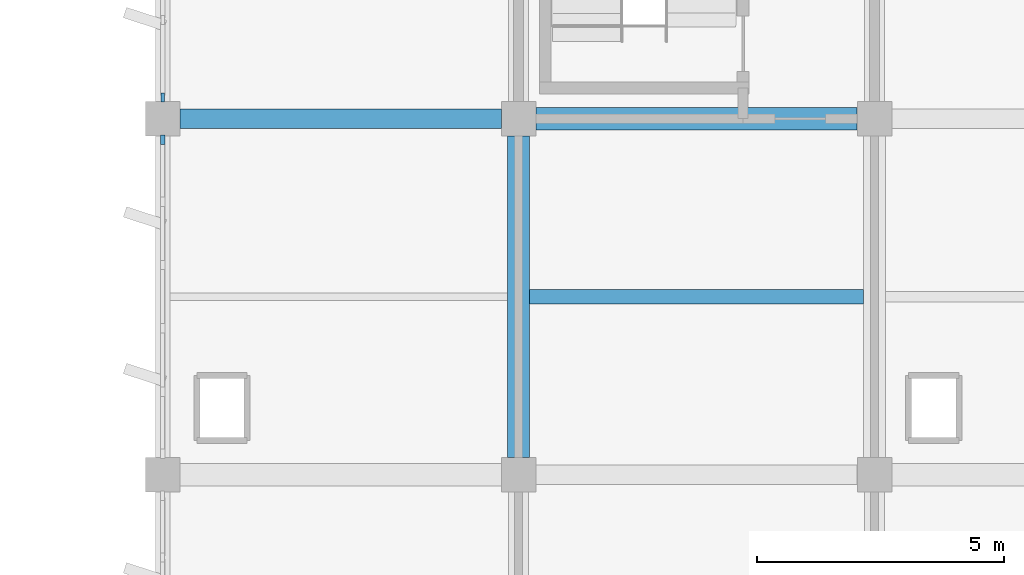
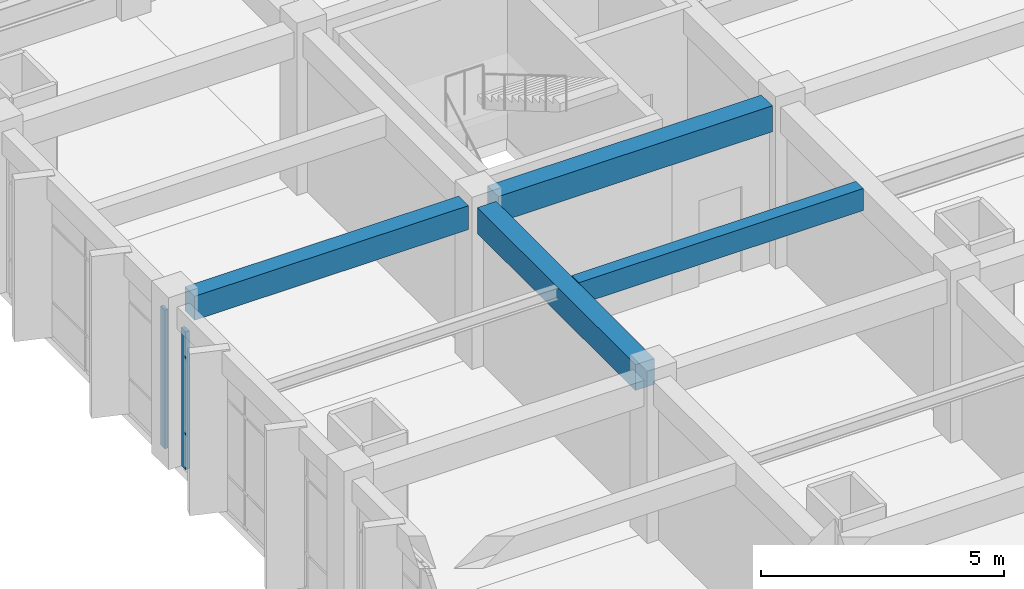
# One storey, part 18 of 70: 4 beams, 2 members, 2 elements without a shape of their own.
"""IFC4 building model written with IfcOpenShell, lengths in metres."""

from ifc_helpers import new_model, si_unit, direction, frame, origin, origin_2d, place, context, subcontext, project, spatial, rectangle, extrude, material, layer, layer_set, material_profile, profile_set, type_object, element, aggregate, save


model = new_model("IFC4")

# Units and contexts
model_context = context("Model", 3, precision=1e-05, world=origin(), true_north=direction((0.0, 1.0)))
body_context = subcontext(model_context, "Body", "Model", "MODEL_VIEW")
ifc_project = project(units=[si_unit("LENGTHUNIT", "METRE"), si_unit("AREAUNIT", "SQUARE_METRE"), si_unit("VOLUMEUNIT", "CUBIC_METRE"), si_unit("PLANEANGLEUNIT", "RADIAN"), si_unit("MASSUNIT", "GRAM", prefix="KILO")], contexts=[model_context])

# Site, building, storey
site_placement = place(None, origin())
site = spatial("IfcSite", under=ifc_project, at=site_placement, CompositionType="ELEMENT")
building_placement = place(site_placement, origin())
building = spatial("IfcBuilding", under=site, at=building_placement, Name="Kavelor Marine Aquarium", CompositionType="ELEMENT")
storey_placement = place(building_placement, frame((0.0, 0.0, 9.179931640625)))
storey = spatial("IfcBuildingStorey", under=building, at=storey_placement, Name="L02", CompositionType="ELEMENT", Elevation=9.179931640625)

# Beams
ifc_material_1 = material(Name="Concrete C40/50", Category="concrete")
ifc_material_profile_1 = material_profile(ifc_material_1, rectangle(XDim=0.449951171875, YDim=0.64990234375, at=origin_2d()), Name="RC-BM 450x650")
ifc_profile_set_1 = profile_set([ifc_material_profile_1], Name="Concrete C40/50")
beam_type_1 = type_object("IfcBeamType", Name="BM-B3", PredefinedType="BEAM", material=ifc_profile_set_1)
for number, where, z_axis, x_axis, name in (
    (1, (125.949951171875, 96.39990234375, 3.695068359375), (1.0, 0.0, 0.0), (0.0, 1.0, 0.0), "bm:x:L02:L03:17_13"),
    (2, (125.60009765625, 89.550048828125, 3.695068359375), (0.0, 1.0, 0.0), (-1.0, 0.0, 0.0), "bm:y:L02:L03:17_12"),
):
    element("IfcBeam", number, at=place(storey_placement, frame(where, z_axis=z_axis, x_axis=x_axis)), inside=storey, type_object=beam_type_1, Name=name, PredefinedType="BEAM", context=body_context, shape_type="SweptSolid", body=[
        extrude(rectangle(XDim=0.449951171875, YDim=0.64990234375, at=origin_2d()), origin(), (0.0, 0.0, 1.0), 6.5),
    ])
ifc_material_2 = material(Name="Concrete C40/50", Category="concrete")
ifc_material_profile_2 = material_profile(ifc_material_2, rectangle(XDim=0.39990234375, YDim=0.60009765625, at=origin_2d()), Name="RC-BM 400x600")
ifc_profile_set_2 = profile_set([ifc_material_profile_2], Name="Concrete C40/50")
beam_type_2 = type_object("IfcBeamType", Name="BM-B4", PredefinedType="BEAM", material=ifc_profile_set_2)
beam_1_placement = place(storey_placement, frame((118.75, 96.39990234375, 3.719970703125), z_axis=(1.0, 0.0, 0.0), x_axis=(0.0, 1.0, 0.0)))
element("IfcBeam", 3, at=beam_1_placement, inside=storey, type_object=beam_type_2, Name="bm:x:L02:L03:16_13", PredefinedType="BEAM", context=body_context, shape_type="SweptSolid", body=[
    extrude(rectangle(XDim=0.39990234375, YDim=0.60009765625, at=origin_2d()), origin(), (0.0, 0.0, 1.0), 6.5),
])
ifc_material_3 = material(Name="Concrete C40/50", Category="concrete")
ifc_material_profile_3 = material_profile(ifc_material_3, rectangle(XDim=0.300048828125, YDim=0.550048828125, at=origin_2d()), Name="RC-JS 300x550")
ifc_profile_set_3 = profile_set([ifc_material_profile_3], Name="Concrete C40/50")
beam_type_3 = type_object("IfcBeamType", Name="BM-JS2", PredefinedType="JOIST", material=ifc_profile_set_3)
beam_2_placement = place(storey_placement, frame((125.824951171875, 92.800048828125, 3.76513671875), z_axis=(1.0, 0.0, 0.0), x_axis=(0.0, 1.0, 0.0)))
element("IfcBeam", 4, at=beam_2_placement, inside=storey, type_object=beam_type_3, Name="js:L02:L03:17_12", PredefinedType="JOIST", context=body_context, shape_type="SweptSolid", body=[
    extrude(rectangle(XDim=0.300048828125, YDim=0.550048828125, at=origin_2d()), origin(), (0.0, 0.0, 1.0), 6.75),
])

# Curtain wall, member
ifc_material_4 = material(Name="Thermally Broken Aluminium and Low-E Glass", Category="aluminium")
ifc_layer_1 = layer(ifc_material_4, 0.219970703125)
ifc_layer_set_1 = layer_set([ifc_layer_1], Name="CW-SYS10")
curtain_wall_type_1 = type_object("IfcCurtainWallType", Name="CW-SYS10", PredefinedType="USERDEFINED", material=ifc_layer_set_1)
curtain_wall_1_placement = place(storey_placement, origin())
curtain_wall_1 = element("IfcCurtainWall", 5, at=curtain_wall_1_placement, inside=storey, type_object=curtain_wall_type_1, Name="cw:y:L02:16_13", ObjectType="Curtain Wall", PredefinedType="USERDEFINED")
ifc_material_5 = material(Name="Anodised Aluminium Alloy 6063-T6", Category="aluminium")
ifc_material_profile_4 = material_profile(ifc_material_5, rectangle(XDim=0.074951171875, YDim=0.179931640625, at=origin_2d()), Name="CW-MUL 75x180")
ifc_profile_set_4 = profile_set([ifc_material_profile_4], Name="Anodised Aluminium Alloy 6063-T6")
member_type_1 = type_object("IfcMemberType", Name="CWM-1", PredefinedType="MULLION", material=ifc_profile_set_4)
member_1_placement = place(storey_placement, frame((118.39990234375, 96.83251953125, 0.0), z_axis=(0.0, 0.0, 1.0), x_axis=(1.0, 0.0, 0.0)))
member_1 = element("IfcMember", 6, at=member_1_placement, type_object=member_type_1, Name="CW10 mullion 5", PredefinedType="MULLION", context=body_context, shape_type="SweptSolid", body=[
    extrude(rectangle(XDim=0.074951171875, YDim=0.179931640625, at=origin_2d()), origin(), (0.0, 0.0, 1.0), 3.47998046875),
])
aggregate(curtain_wall_1, [member_1])

ifc_material_6 = material(Name="Thermally Broken Aluminium and Low-E Glass", Category="aluminium")
ifc_layer_2 = layer(ifc_material_6, 0.2119140625)
ifc_layer_set_2 = layer_set([ifc_layer_2], Name="CW-SYS9")
curtain_wall_type_2 = type_object("IfcCurtainWallType", Name="CW-SYS9", PredefinedType="USERDEFINED", material=ifc_layer_set_2)
curtain_wall_2_placement = place(storey_placement, origin())
curtain_wall_2 = element("IfcCurtainWall", 7, at=curtain_wall_2_placement, inside=storey, type_object=curtain_wall_type_2, Name="cw:y:L02:16_12", ObjectType="Curtain Wall", PredefinedType="USERDEFINED")
ifc_material_7 = material(Name="Anodised Aluminium Alloy 6063-T6", Category="aluminium")
ifc_material_profile_5 = material_profile(ifc_material_7, rectangle(XDim=0.0849609375, YDim=0.18994140625, at=origin_2d()), Name="CW-MUL 85x190")
ifc_profile_set_5 = profile_set([ifc_material_profile_5], Name="Anodised Aluminium Alloy 6063-T6")
member_type_2 = type_object("IfcMemberType", Name="CWM-3", PredefinedType="MULLION", material=ifc_profile_set_5)
member_2_placement = place(storey_placement, frame((118.39990234375, 95.97509765625, 0.0), z_axis=(0.0, 0.0, 1.0), x_axis=(1.0, 0.0, 0.0)))
member_2 = element("IfcMember", 8, at=member_2_placement, type_object=member_type_2, Name="CW09 mullion 1", PredefinedType="MULLION", context=body_context, shape_type="SweptSolid", body=[
    extrude(rectangle(XDim=0.0849609375, YDim=0.18994140625, at=origin_2d()), origin(), (0.0, 0.0, 1.0), 3.4599609375),
])
aggregate(curtain_wall_2, [member_2])

save(model, "model.ifc")
